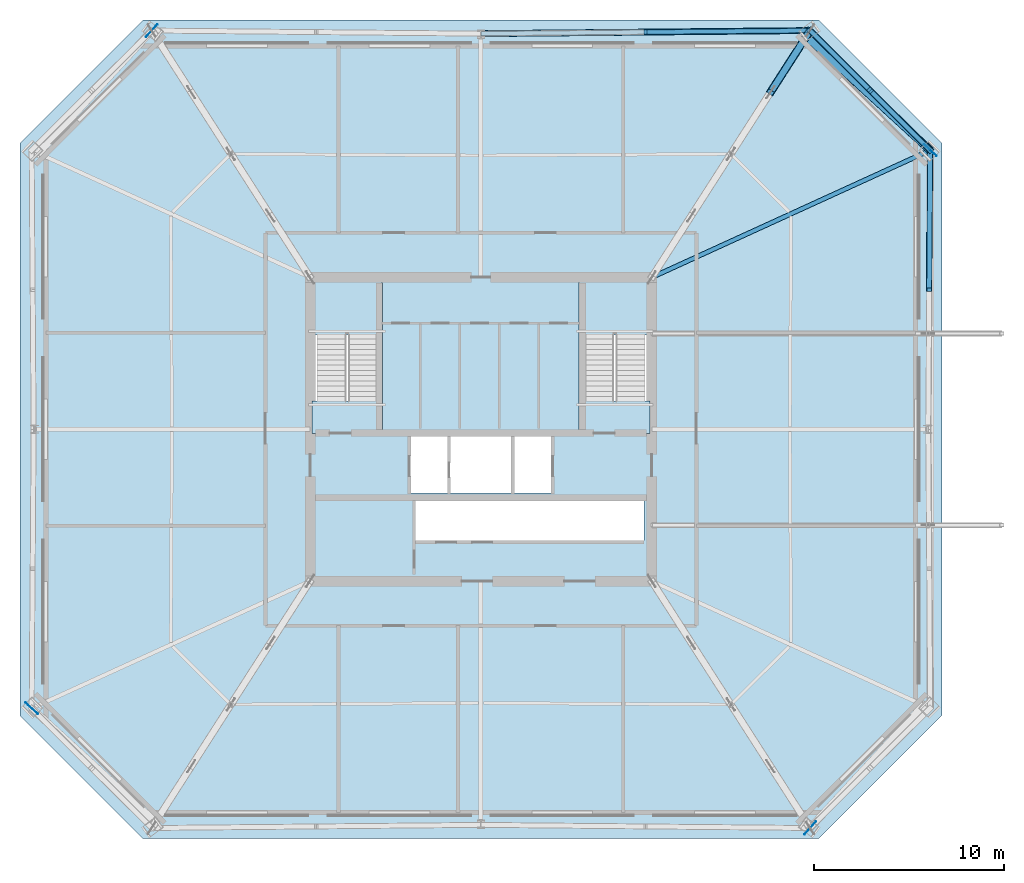
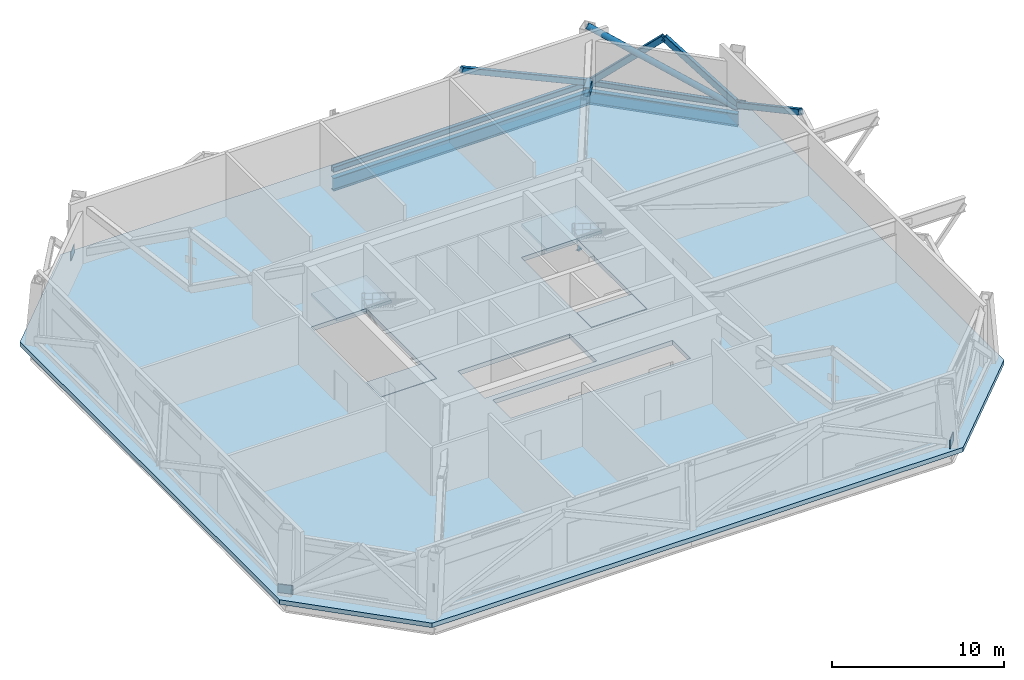
# One storey, part 9 of 15: 8 members, 5 slabs, 4 plates, 3 beams, 2 elements without a shape of their own.
"""IFC4 building model written with IfcOpenShell, lengths in metres."""

from ifc_helpers import new_model, si_unit, direction, frame, origin, origin_2d, place, context, subcontext, project, spatial, polyline, rectangle, hollow_rectangle, hollow_circle, i_section, outline, extrude, material, layer, layer_set, material_profile, profile_set, type_object, element, aggregate, save


model = new_model("IFC4")

# Units and contexts
model_context = context("Model", 3, precision=1e-05, world=origin(), true_north=direction((0.0, 1.0)))
body_context = subcontext(model_context, "Body", "Model", "MODEL_VIEW")
ifc_project = project(units=[si_unit("LENGTHUNIT", "METRE"), si_unit("AREAUNIT", "SQUARE_METRE"), si_unit("VOLUMEUNIT", "CUBIC_METRE"), si_unit("PLANEANGLEUNIT", "RADIAN"), si_unit("MASSUNIT", "GRAM", prefix="KILO")], contexts=[model_context])

# Site, building, storey
site_placement = place(None, origin())
site = spatial("IfcSite", under=ifc_project, at=site_placement, CompositionType="ELEMENT")
building_placement = place(site_placement, origin())
building = spatial("IfcBuilding", under=site, at=building_placement, Name="Caelvoria Tower", CompositionType="ELEMENT")
storey_placement = place(building_placement, frame((0.0, 0.0, 167.199951171875)))
storey = spatial("IfcBuildingStorey", under=building, at=storey_placement, Name="L44", CompositionType="ELEMENT", Elevation=167.199951171875)

# Members
ifc_material_1 = material(Name="Structural Steel ASTM A572 Gr.50", Category="steel")
ifc_material_profile_1 = material_profile(ifc_material_1, hollow_rectangle(XDim=0.25, YDim=0.35009765625, WallThickness=0.013916015625, InnerFilletRadius=0.013916015625, OuterFilletRadius=0.028076171875, at=origin_2d()), Name="Structural Steel ASTM A572 Gr.50")
ifc_profile_set_1 = profile_set([ifc_material_profile_1], Name="HSS350X250X14 - Structural Steel ASTM A572 Gr.50")
member_type_1 = type_object("IfcMemberType", Name="Belt Truss Chord Member HSS350X250X14", PredefinedType="CHORD", material=ifc_profile_set_1)
member_1_placement = place(storey_placement, frame((69.66845703125, 46.7001953125, 0.25), z_axis=(-0.708349364736, 0.705862010224, 0.0), x_axis=(-0.705862010224, -0.708349364736, 0.0)))
element("IfcMember", 1, at=member_1_placement, inside=storey, type_object=member_type_1, Name="Belt Truss Bottom Chord L44-05", PredefinedType="CHORD", context=body_context, shape_type="SweptSolid", body=[
    extrude(hollow_rectangle(XDim=0.25, YDim=0.35009765625, WallThickness=0.013916015625, InnerFilletRadius=0.013916015625, OuterFilletRadius=0.028076171875, at=origin_2d()), origin(), (0.0, 0.0, 1.0), 8.931884765625),
])
member_2_placement = place(storey_placement, frame((63.341552734375, 53.0048828125, 0.25), z_axis=(-0.999954850569, -0.009502464053, 0.0), x_axis=(0.009502464053, -0.999954850569, 0.0)))
element("IfcMember", 2, at=member_2_placement, inside=storey, type_object=member_type_1, Name="Belt Truss Bottom Chord L44-06", PredefinedType="CHORD", context=body_context, shape_type="SweptSolid", body=[
    extrude(hollow_rectangle(XDim=0.25, YDim=0.35009765625, WallThickness=0.013916015625, InnerFilletRadius=0.013916015625, OuterFilletRadius=0.028076171875, at=origin_2d()), origin(), (0.0, 0.0, 1.0), 17.34228515625),
])
ifc_material_profile_2 = material_profile(ifc_material_1, hollow_rectangle(XDim=0.300048828125, YDim=0.39990234375, WallThickness=0.01611328125, InnerFilletRadius=0.01611328125, OuterFilletRadius=0.031982421875, at=origin_2d()), Name="Structural Steel ASTM A572 Gr.50")
ifc_profile_set_2 = profile_set([ifc_material_profile_2], Name="HSS400X300X16 - Structural Steel ASTM A572 Gr.50")
member_type_2 = type_object("IfcMemberType", Name="Belt Truss Diagonal HSS400X300X16", PredefinedType="BRACE", material=ifc_profile_set_2)
member_3_placement = place(storey_placement, frame((69.6142578125, 39.35009765625, 4.22998046875), z_axis=(0.006484203153, 0.879339730318, -0.476150809926), x_axis=(-0.999972813573, 0.007373744922, 0.0)))
element("IfcMember", 3, at=member_3_placement, inside=storey, type_object=member_type_2, Name="Belt Truss Diagonal L44-04B", PredefinedType="BRACE", context=body_context, shape_type="SweptSolid", body=[
    extrude(hollow_rectangle(XDim=0.300048828125, YDim=0.39990234375, WallThickness=0.01611328125, InnerFilletRadius=0.01611328125, OuterFilletRadius=0.031982421875, at=origin_2d()), origin(), (0.0, 0.0, 1.0), 8.358642578125),
])
member_4_placement = place(storey_placement, frame((69.66845703125, 46.7001953125, 0.25), z_axis=(-0.528838619815, 0.526961279446, 0.665313102349), x_axis=(-0.705848343659, -0.708362983049, 0.0)))
element("IfcMember", 4, at=member_4_placement, inside=storey, type_object=member_type_2, Name="Belt Truss Diagonal L44-05A", PredefinedType="BRACE", context=body_context, shape_type="SweptSolid", body=[
    extrude(hollow_rectangle(XDim=0.300048828125, YDim=0.39990234375, WallThickness=0.01611328125, InnerFilletRadius=0.01611328125, OuterFilletRadius=0.031982421875, at=origin_2d()), origin(), (0.0, 0.0, 1.0), 5.982177734375),
])
member_5_placement = place(storey_placement, frame((66.5048828125, 49.8525390625, 4.22998046875), z_axis=(-0.52880922095, 0.52697265269, -0.665327461598), x_axis=(-0.705875677056, -0.708335745633, 0.0)))
element("IfcMember", 5, at=member_5_placement, inside=storey, type_object=member_type_2, Name="Belt Truss Diagonal L44-05B", PredefinedType="BRACE", context=body_context, shape_type="SweptSolid", body=[
    extrude(hollow_rectangle(XDim=0.300048828125, YDim=0.39990234375, WallThickness=0.01611328125, InnerFilletRadius=0.01611328125, OuterFilletRadius=0.031982421875, at=origin_2d()), origin(), (0.0, 0.0, 1.0), 5.98193359375),
])
member_6_placement = place(storey_placement, frame((63.341552734375, 53.0048828125, 0.25), z_axis=(-0.908795233621, -0.008649100069, 0.4171527495), x_axis=(0.00951667447, -0.999954715428, 0.0)))
element("IfcMember", 6, at=member_6_placement, inside=storey, type_object=member_type_2, Name="Belt Truss Diagonal L44-06A", PredefinedType="BRACE", context=body_context, shape_type="SweptSolid", body=[
    extrude(hollow_rectangle(XDim=0.300048828125, YDim=0.39990234375, WallThickness=0.01611328125, InnerFilletRadius=0.01611328125, OuterFilletRadius=0.031982421875, at=origin_2d()), origin(), (0.0, 0.0, 1.0), 9.540771484375),
])
ifc_material_profile_3 = material_profile(ifc_material_1, hollow_rectangle(XDim=0.39990234375, YDim=0.5, WallThickness=0.02197265625, InnerFilletRadius=0.02197265625, OuterFilletRadius=0.0439453125, at=origin_2d()), Name="Structural Steel ASTM A572 Gr.50")
ifc_profile_set_3 = profile_set([ifc_material_profile_3], Name="HSS500X400X22 - Structural Steel ASTM A572 Gr.50")
member_type_3 = type_object("IfcMemberType", Name="Outrigger Diagonal HSS500X400X22", PredefinedType="BRACE", material=ifc_profile_set_3)
member_7_placement = place(storey_placement, frame((61.256103515625, 49.753662109375, 2.239990234375), z_axis=(0.479958044206, 0.748255827054, -0.457988529422), x_axis=(-0.841722265045, 0.539910759782, 0.0)))
element("IfcMember", 7, at=member_7_placement, inside=storey, type_object=member_type_3, Name="Outrigger Truss Diagonal L44-NE-2B2", PredefinedType="BRACE", context=body_context, shape_type="SweptSolid", body=[
    extrude(hollow_rectangle(XDim=0.39990234375, YDim=0.5, WallThickness=0.02197265625, InnerFilletRadius=0.02197265625, OuterFilletRadius=0.0439453125, at=origin_2d()), origin(), (0.0, 0.0, 1.0), 4.344970703125),
])

# Beams
ifc_material_2 = material(Name="Structural Steel ASTM A992 Gr.50", Category="steel")
ifc_material_profile_4 = material_profile(ifc_material_2, i_section(OverallWidth=0.30810546875, OverallDepth=0.927001953125, WebThickness=0.019287109375, FlangeThickness=0.031982421875, FilletRadius=0.02392578125, at=origin_2d()), Name="Structural Steel ASTM A992 Gr.50")
ifc_profile_set_4 = profile_set([ifc_material_profile_4], Name="W920X289 - Structural Steel ASTM A992 Gr.50")
beam_type_1 = type_object("IfcBeamType", Name="Outrigger Tie Girder W920X289", PredefinedType="BEAM", material=ifc_profile_set_4)
beam_1_placement = place(storey_placement, frame((69.66845703125, 46.7001953125, -0.783447265625), z_axis=(-0.708349364736, 0.705862010224, 0.0), x_axis=(-0.705862010224, -0.708349364736, 0.0)))
element("IfcBeam", 8, at=beam_1_placement, inside=storey, type_object=beam_type_1, Name="Perimeter Spandrel Girder L44-05", PredefinedType="BEAM", context=body_context, shape_type="SweptSolid", body=[
    extrude(i_section(OverallWidth=0.30810546875, OverallDepth=0.927001953125, WebThickness=0.019287109375, FlangeThickness=0.031982421875, FilletRadius=0.02392578125, at=origin_2d()), origin(), (0.0, 0.0, 1.0), 8.931884765625),
])
beam_2_placement = place(storey_placement, frame((63.341552734375, 53.0048828125, -0.783447265625), z_axis=(-0.999954850569, -0.009502464053, 0.0), x_axis=(0.009502464053, -0.999954850569, 0.0)))
element("IfcBeam", 9, at=beam_2_placement, inside=storey, type_object=beam_type_1, Name="Perimeter Spandrel Girder L44-06", PredefinedType="BEAM", context=body_context, shape_type="SweptSolid", body=[
    extrude(i_section(OverallWidth=0.30810546875, OverallDepth=0.927001953125, WebThickness=0.019287109375, FlangeThickness=0.031982421875, FilletRadius=0.02392578125, at=origin_2d()), origin(), (0.0, 0.0, 1.0), 17.34228515625),
])
ifc_material_profile_5 = material_profile(ifc_material_2, i_section(OverallWidth=0.22802734375, OverallDepth=0.60302734375, WebThickness=0.010498046875, FlangeThickness=0.014892578125, FilletRadius=0.01806640625, at=origin_2d()), Name="Structural Steel ASTM A992 Gr.50")
ifc_profile_set_5 = profile_set([ifc_material_profile_5], Name="W610X101 - Structural Steel ASTM A992 Gr.50")
beam_type_2 = type_object("IfcBeamType", Name="Primary Floor Girder W610X101", PredefinedType="BEAM", material=ifc_profile_set_5)
beam_3_placement = place(storey_placement, frame((55.0, 40.0, -0.621337890625), z_axis=(0.909600700285, 0.415483532816, 0.0), x_axis=(-0.415483532816, 0.909600700285, 0.0)))
element("IfcBeam", 10, at=beam_3_placement, inside=storey, type_object=beam_type_2, Name="Primary Floor Girder L44-05", PredefinedType="BEAM", context=body_context, shape_type="SweptSolid", body=[
    extrude(i_section(OverallWidth=0.22802734375, OverallDepth=0.60302734375, WebThickness=0.010498046875, FlangeThickness=0.014892578125, FilletRadius=0.01806640625, at=origin_2d()), origin(), (0.0, 0.0, 1.0), 16.126220703125),
])

# Member
ifc_material_profile_6 = material_profile(ifc_material_1, hollow_circle(Radius=0.202880859375, WallThickness=0.01611328125, at=origin_2d()), Name="Structural Steel ASTM A572 Gr.50")
ifc_profile_set_6 = profile_set([ifc_material_profile_6], Name="CHS406X16 - Structural Steel ASTM A572 Gr.50")
member_type_4 = type_object("IfcMemberType", Name="Upper Perimeter Mega Brace CHS406X16", PredefinedType="BRACE", material=ifc_profile_set_6)
member_8_placement = place(storey_placement, frame((69.66845703125, 46.7001953125, 0.0), z_axis=(-0.659330195146, 0.60539029858, 0.445854550447), x_axis=(-0.676334074662, -0.736595017259, 0.0)))
element("IfcMember", 11, at=member_8_placement, inside=storey, type_object=member_type_4, Name="Perimeter Chamfer Mega Brace L44 NE", PredefinedType="BRACE", context=body_context, shape_type="SweptSolid", body=[
    extrude(hollow_circle(Radius=0.202880859375, WallThickness=0.01611328125, at=origin_2d()), origin(), (0.0, 0.0, 1.0), 10.048095703125),
])

# Plates
ifc_layer_1 = layer(ifc_material_1, 0.0400390625, Name="Structural Steel ASTM A572 Gr.50")
ifc_layer_set_1 = layer_set([ifc_layer_1], Name="Megaframe Node Gusset Plate 900x600x40 - Structural Steel ASTM A572 Gr.50")
plate_type = type_object("IfcPlateType", Name="Megaframe Node Gusset Plate 900x600x40", PredefinedType="USERDEFINED", material=ifc_layer_set_1)
for number, where, z_axis, x_axis, name in (
    (12, (63.341552734375, 10.9951171875, 0.02001953125), (0.0, 0.0, 1.0), (0.678735379482, 0.734382927797, 0.0), "Chamfer Mega Brace Gusset L44 SE"),
    (13, (69.66845703125, 46.7001953125, 0.02001953125), (0.0, 0.0, 1.0), (-0.736584802246, 0.676345199658, 0.0), "Chamfer Mega Brace Gusset L44 NE"),
    (14, (28.658447265625, 53.0048828125, 0.02001953125), (0.0, 0.0, 1.0), (-0.678735379482, -0.734382927797, 0.0), "Chamfer Mega Brace Gusset L44 NW"),
    (15, (22.33154296875, 17.2998046875, 0.02001953125), (0.0, 0.0, 1.0), (0.736584802246, -0.676345199658, 0.0), "Chamfer Mega Brace Gusset L44 SW"),
):
    element("IfcPlate", number, at=place(storey_placement, frame(where, z_axis=z_axis, x_axis=x_axis)), inside=storey, type_object=plate_type, Name=name, ObjectType="GUSSET_PLATE", PredefinedType="USERDEFINED", context=body_context, shape_type="SweptSolid", body=[
        extrude(rectangle(XDim=0.89990234375, YDim=0.0400390625, at=origin_2d()), origin(), (0.0, 0.0, 1.0), 0.60009765625),
    ])

# Slab
ifc_material_3 = material(Name="Concrete C50/60", Category="concrete")
ifc_layer_2 = layer(ifc_material_3, 0.320068359375, Name="Concrete C50/60")
ifc_layer_set_2 = layer_set([ifc_layer_2], Name="Plant and Sky Lobby Heavy Slab 320 - Concrete C50/60")
slab_type_1 = type_object("IfcSlabType", Name="Plant and Sky Lobby Heavy Slab 320", PredefinedType="FLOOR", material=ifc_layer_set_2)
slab_1_placement = place(storey_placement, frame((0.0, 0.0, -0.320068359375)))
element("IfcSlab", 16, at=slab_1_placement, inside=storey, type_object=slab_type_1, Name="Level L44 Structural Floor Slab", PredefinedType="FLOOR", context=body_context, shape_type="SweptSolid", body=[
    extrude(outline(polyline([(28.199951171875, 10.43994140625), (63.800048828125, 10.43994140625), (70.280029296875, 16.919921875), (70.280029296875, 47.080078125), (63.800048828125, 53.56005859375), (28.199951171875, 53.56005859375), (21.719970703125, 47.080078125), (21.719970703125, 16.919921875), (28.199951171875, 10.43994140625)]), holes=[polyline([(37.080078125, 31.75), (40.820068359375, 31.75), (40.820068359375, 39.919921875), (37.080078125, 39.919921875), (37.080078125, 31.75)]), polyline([(51.179931640625, 31.75), (54.919921875, 31.75), (54.919921875, 39.919921875), (51.179931640625, 39.919921875), (51.179931640625, 31.75)]), polyline([(42.25, 28.64990234375), (49.75, 28.64990234375), (49.75, 31.800048828125), (42.25, 31.800048828125), (42.25, 28.64990234375)]), polyline([(42.550048828125, 26.14990234375), (54.60009765625, 26.14990234375), (54.60009765625, 28.25), (42.550048828125, 28.25), (42.550048828125, 26.14990234375)])]), origin(), (0.0, 0.0, 1.0), 0.320068359375),
])

# Stair, slabs
ifc_material_4 = material(Name="Concrete C40/50", Category="concrete")
stair_type = type_object("IfcStairType", Name="Core Smokeproof Dogleg Stair Concrete C40/50", PredefinedType="HALF_TURN_STAIR", material=ifc_material_4)
stair_1_placement = place(storey_placement, origin())
stair_1 = element("IfcStair", 17, at=stair_1_placement, inside=storey, type_object=stair_type, Name="ST-01 Smokeproof Exit Stair L44", PredefinedType="HALF_TURN_STAIR")
ifc_layer_3 = layer(ifc_material_4, 0.199951171875, Name="Concrete C40/50")
ifc_layer_set_3 = layer_set([ifc_layer_3], Name="Stair Half and Floor Landing Slab 200 Concrete C40/50 - Concrete C40/50")
slab_type_2 = type_object("IfcSlabType", Name="Stair Half and Floor Landing Slab 200 Concrete C40/50", PredefinedType="LANDING", material=ifc_layer_set_3)
slab_2_placement = place(storey_placement, frame((0.0, 0.0, -0.199951171875)))
slab_2 = element("IfcSlab", 18, at=slab_2_placement, type_object=slab_type_2, Name="ST-01 landing 1", PredefinedType="LANDING", context=body_context, shape_type="SweptSolid", body=[
    extrude(outline(polyline([(37.10009765625, 31.77001953125), (40.800048828125, 31.77001953125), (40.800048828125, 33.5), (37.10009765625, 33.5), (37.10009765625, 31.77001953125)])), origin(), (0.0, 0.0, 1.0), 0.199951171875),
])
slab_3_placement = place(storey_placement, frame((0.0, 0.0, 2.199951171875)))
slab_3 = element("IfcSlab", 19, at=slab_3_placement, type_object=slab_type_2, Name="ST-01 landing 2", PredefinedType="LANDING", context=body_context, shape_type="SweptSolid", body=[
    extrude(outline(polyline([(37.10009765625, 36.97509765625), (40.800048828125, 36.97509765625), (40.800048828125, 39.89990234375), (37.10009765625, 39.89990234375), (37.10009765625, 36.97509765625)])), origin(), (0.0, 0.0, 1.0), 0.2001953125),
])
aggregate(stair_1, [slab_2, slab_3])

stair_2_placement = place(storey_placement, origin())
stair_2 = element("IfcStair", 20, at=stair_2_placement, inside=storey, type_object=stair_type, Name="ST-02 Smokeproof Exit Stair L44", PredefinedType="HALF_TURN_STAIR")
slab_4_placement = place(storey_placement, frame((0.0, 0.0, -0.199951171875)))
slab_4 = element("IfcSlab", 21, at=slab_4_placement, type_object=slab_type_2, Name="ST-02 landing 1", PredefinedType="LANDING", context=body_context, shape_type="SweptSolid", body=[
    extrude(outline(polyline([(51.199951171875, 31.77001953125), (54.89990234375, 31.77001953125), (54.89990234375, 33.5), (51.199951171875, 33.5), (51.199951171875, 31.77001953125)])), origin(), (0.0, 0.0, 1.0), 0.199951171875),
])
slab_5_placement = place(storey_placement, frame((0.0, 0.0, 2.199951171875)))
slab_5 = element("IfcSlab", 22, at=slab_5_placement, type_object=slab_type_2, Name="ST-02 landing 2", PredefinedType="LANDING", context=body_context, shape_type="SweptSolid", body=[
    extrude(outline(polyline([(51.199951171875, 36.97509765625), (54.89990234375, 36.97509765625), (54.89990234375, 39.89990234375), (51.199951171875, 39.89990234375), (51.199951171875, 36.97509765625)])), origin(), (0.0, 0.0, 1.0), 0.2001953125),
])
aggregate(stair_2, [slab_4, slab_5])

save(model, "model.ifc")
